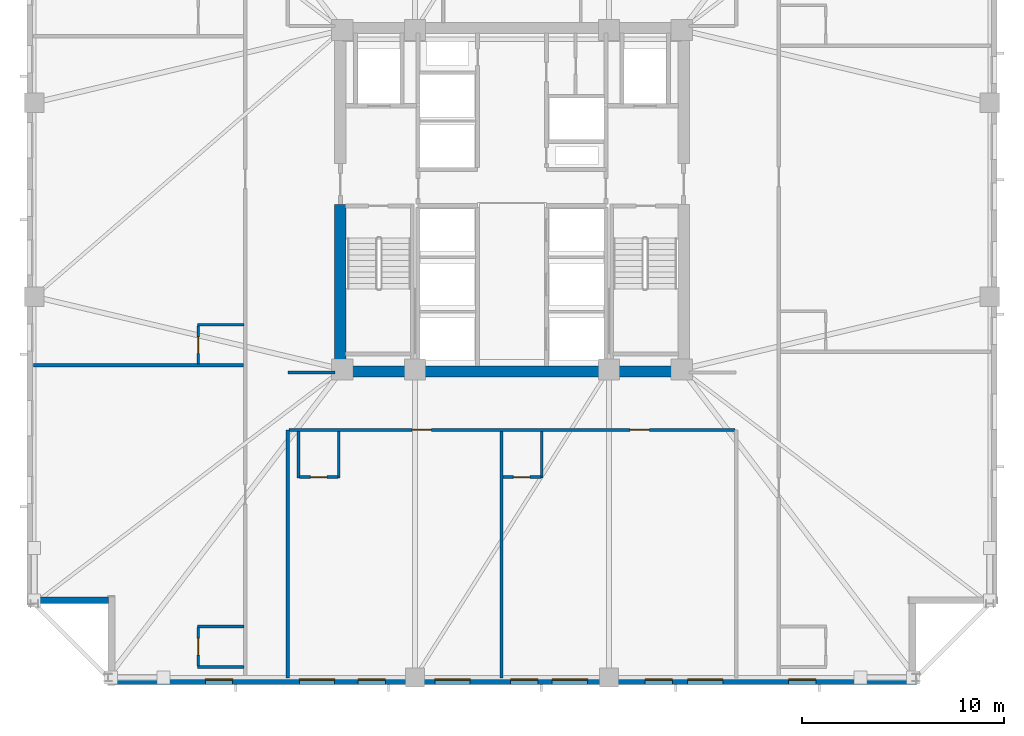
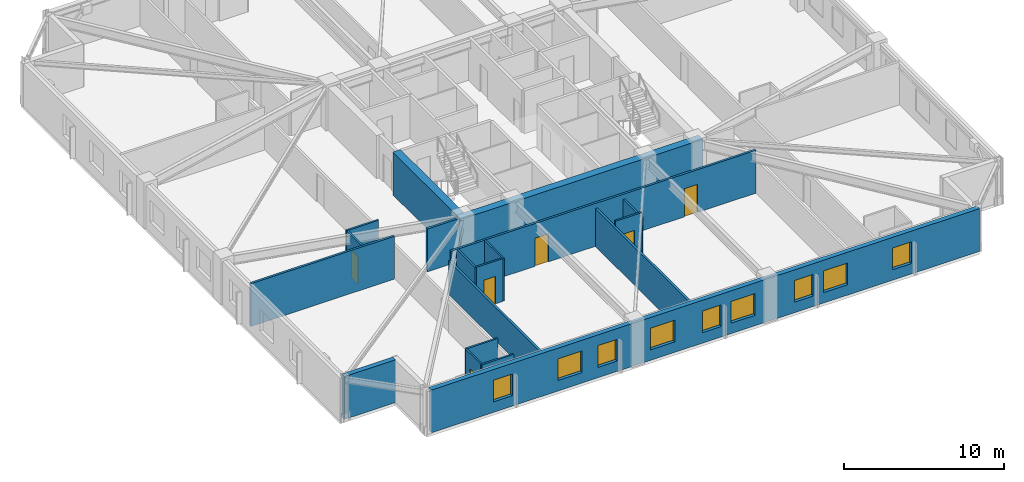
# One storey, part 2 of 11: 19 walls, 9 windows, 6 doors, 15 openings.
"""IFC4 building model written with IfcOpenShell, lengths in metres."""

from ifc_helpers import new_model, si_unit, direction, frame, frame_2d, origin, place, context, subcontext, project, spatial, rectangle, extrude, material, layer, layer_set, type_object, element, fill, save


model = new_model("IFC4")

# Units and contexts
model_context = context("Model", 3, precision=1e-05, world=origin(), true_north=direction((0.0, 1.0)))
body_context = subcontext(model_context, "Body", "Model", "MODEL_VIEW")
ifc_project = project(units=[si_unit("LENGTHUNIT", "METRE"), si_unit("AREAUNIT", "SQUARE_METRE"), si_unit("VOLUMEUNIT", "CUBIC_METRE"), si_unit("PLANEANGLEUNIT", "RADIAN"), si_unit("MASSUNIT", "GRAM", prefix="KILO")], contexts=[model_context])

# Site, building, storey
site_placement = place(None, origin())
site = spatial("IfcSite", under=ifc_project, at=site_placement, CompositionType="ELEMENT")
building_placement = place(site_placement, origin())
building = spatial("IfcBuilding", under=site, at=building_placement, Name="Cairnveth Concourse Tower", CompositionType="ELEMENT")
storey_placement = place(building_placement, frame((0.0, 0.0, 106.0)))
storey = spatial("IfcBuildingStorey", under=building, at=storey_placement, Name="L28", CompositionType="ELEMENT", Elevation=106.0)

# Walls
ifc_material_1 = material(Name="Gypsum Plasterboard Partition", Category="gypsum")
ifc_layer_1 = layer(ifc_material_1, 0.159912109375)
ifc_layer_set_1 = layer_set([ifc_layer_1], Name="Gypsum Plasterboard Partition")
wall_type_1 = type_object("IfcWallType", Name="ACOUSTIC PARTY WALL 180", PredefinedType="PARTITIONING", material=ifc_layer_set_1)
wall_1_placement = place(storey_placement, frame((40.89990234375, 15.324951171875, 0.0), z_axis=(0.0, 0.0, 1.0), x_axis=(0.0, 1.0, 0.0)))
element("IfcWall", 1, at=wall_1_placement, inside=storey, type_object=wall_type_1, Name="Interior Wall IW-L28-039", PredefinedType="PARTITIONING", context=body_context, shape_type="SweptSolid", body=[
    extrude(rectangle(XDim=12.275146484375, YDim=0.159912109375, at=frame_2d((6.1376953125, 0.0))), origin(), (0.0, 0.0, 1.0), 2.554931640625),
])
wall_2_placement = place(storey_placement, frame((40.89990234375, 30.449951171875, 0.0), z_axis=(0.0, 0.0, 1.0), x_axis=(1.0, 0.0, 0.0)))
element("IfcWall", 2, at=wall_2_placement, inside=storey, type_object=wall_type_1, Name="Interior Wall IW-L28-041", PredefinedType="PARTITIONING", context=body_context, shape_type="SweptSolid", body=[
    extrude(rectangle(XDim=2.335205078125, YDim=0.159912109375, at=frame_2d((1.16748046875, 0.0))), origin(), (0.0, 0.0, 1.0), 3.280029296875),
])

# Wall, openings, doors
wall_3_placement = place(storey_placement, frame((40.965087890625, 27.60009765625, 0.0), z_axis=(0.0, 0.0, 1.0), x_axis=(1.0, 0.0, 0.0)))
wall_3 = element("IfcWall", 3, at=wall_3_placement, inside=storey, type_object=wall_type_1, Name="Interior Wall IW-L28-048", PredefinedType="PARTITIONING", context=body_context, shape_type="SweptSolid", body=[
    extrude(rectangle(XDim=22.06982421875, YDim=0.159912109375, at=frame_2d((11.034912109375, 0.0))), origin(), (0.0, 0.0, 1.0), 3.280029296875),
])
opening_1_placement = place(wall_3_placement, frame((6.0849609375, 0.0, 0.0)))
opening_1 = element("IfcOpeningElement", 4, at=opening_1_placement, cuts=wall_3, Name="Opening ID09", PredefinedType="OPENING", context=body_context, shape_type="SweptSolid", body=[
    extrude(rectangle(XDim=0.9599609375, YDim=2.14990234375, at=frame_2d((0.47998046875, 1.074951171875))), frame((0.0, 0.08984375, 0.0), z_axis=(0.0, -1.0, 0.0), x_axis=(1.0, 0.0, 0.0)), (0.0, 0.0, 1.0), 0.179931640625),
])
opening_2_placement = place(wall_3_placement, frame((16.8798828125, 0.0, 0.0)))
opening_2 = element("IfcOpeningElement", 5, at=opening_2_placement, cuts=wall_3, Name="Opening ID09", PredefinedType="OPENING", context=body_context, shape_type="SweptSolid", body=[
    extrude(rectangle(XDim=0.9599609375, YDim=2.14990234375, at=frame_2d((0.47998046875, 1.074951171875))), frame((0.0, 0.08984375, 0.0), z_axis=(0.0, -1.0, 0.0), x_axis=(1.0, 0.0, 0.0)), (0.0, 0.0, 1.0), 0.179931640625),
])
ifc_material_2 = material(Name="Solid Core Hardwood Timber Leaf", Category="wood")
door_type_1 = type_object("IfcDoorType", Name="HOTEL ENTRANCE DOOR 960X2150", OperationType="NOTDEFINED", PredefinedType="DOOR", material=ifc_material_2)
door_1_placement = place(opening_1_placement, origin())
door_1 = element("IfcDoor", 6, at=door_1_placement, inside=storey, type_object=door_type_1, Name="Hotel Room Door L28-S1", OperationType="SINGLE_SWING_RIGHT", OverallHeight=2.14990234375, OverallWidth=0.9599609375, PredefinedType="DOOR", context=body_context, shape_type="SweptSolid", body=[
    extrude(rectangle(XDim=0.9599609375, YDim=2.14990234375, at=frame_2d((0.47998046875, 1.074951171875))), frame((0.0, 0.02490234375, 0.0), z_axis=(0.0, -1.0, 0.0), x_axis=(1.0, 0.0, 0.0)), (0.0, 0.0, 1.0), 0.050048828125),
])
fill(opening_1, door_1)
door_2_placement = place(opening_2_placement, origin())
door_2 = element("IfcDoor", 7, at=door_2_placement, inside=storey, type_object=door_type_1, Name="Hotel Room Door L28-S2", OperationType="SINGLE_SWING_RIGHT", OverallHeight=2.14990234375, OverallWidth=0.9599609375, PredefinedType="DOOR", context=body_context, shape_type="SweptSolid", body=[
    extrude(rectangle(XDim=0.9599609375, YDim=2.14990234375, at=frame_2d((0.47998046875, 1.074951171875))), frame((0.0, 0.02490234375, 0.0), z_axis=(0.0, -1.0, 0.0), x_axis=(1.0, 0.0, 0.0)), (0.0, 0.0, 1.0), 0.050048828125),
])
fill(opening_2, door_2)

# Walls
wall_4_placement = place(storey_placement, frame((51.47998046875, 15.324951171875, 0.0), z_axis=(0.0, 0.0, 1.0), x_axis=(0.0, 1.0, 0.0)))
element("IfcWall", 8, at=wall_4_placement, inside=storey, type_object=wall_type_1, Name="Interior Wall IW-L28-054", PredefinedType="PARTITIONING", context=body_context, shape_type="SweptSolid", body=[
    extrude(rectangle(XDim=12.195068359375, YDim=0.159912109375, at=frame_2d((6.09765625, 0.0))), origin(), (0.0, 0.0, 1.0), 2.89599609375),
])
wall_5_placement = place(storey_placement, frame((28.324951171875, 30.802001953125, 0.0), z_axis=(0.0, 0.0, 1.0), x_axis=(1.0, 0.0, 0.0)))
element("IfcWall", 9, at=wall_5_placement, inside=storey, type_object=wall_type_1, Name="Interior Wall IW-L28-060", PredefinedType="PARTITIONING", context=body_context, shape_type="SweptSolid", body=[
    extrude(rectangle(XDim=10.39501953125, YDim=0.159912109375, at=frame_2d((5.197509765625, 0.0))), origin(), (0.0, 0.0, 1.0), 3.280029296875),
])
ifc_material_3 = material(Name="Concrete N80 (80 MPa)", Category="concrete")
ifc_layer_2 = layer(ifc_material_3, 0.550048828125)
ifc_layer_set_2 = layer_set([ifc_layer_2], Name="Concrete N80 (80 MPa)")
wall_type_2 = type_object("IfcWallType", Name="CORE SHEAR WALL 550", PredefinedType="SHEAR", material=ifc_layer_set_2)
wall_6_placement = place(storey_placement, frame((43.22509765625, 30.5, 0.0), z_axis=(0.0, 0.0, 1.0), x_axis=(1.0, 0.0, 0.0)))
element("IfcWall", 10, at=wall_6_placement, inside=storey, type_object=wall_type_2, Name="Core South Shear Wall L28", PredefinedType="SHEAR", context=body_context, shape_type="SweptSolid", body=[
    extrude(rectangle(XDim=17.5498046875, YDim=0.550048828125, at=frame_2d((8.77490234375, 0.0))), origin(), (0.0, 0.0, 1.0), 3.280029296875),
])
wall_7_placement = place(storey_placement, frame((43.5, 30.764892578125, 0.0), z_axis=(0.0, 0.0, 1.0), x_axis=(0.0, 1.0, 0.0)))
element("IfcWall", 11, at=wall_7_placement, inside=storey, type_object=wall_type_2, Name="Core West Shear Wall S L28", PredefinedType="SHEAR", context=body_context, shape_type="SweptSolid", body=[
    extrude(rectangle(XDim=7.985107421875, YDim=0.550048828125, at=frame_2d((3.99267578125, 0.0))), origin(), (0.0, 0.0, 1.0), 3.280029296875),
])
ifc_layer_3 = layer(ifc_material_1, 0.1298828125)
ifc_layer_set_3 = layer_set([ifc_layer_3], Name="Gypsum Plasterboard Partition")
wall_type_3 = type_object("IfcWallType", Name="WET AREA PARTITION 140", PredefinedType="PLUMBINGWALL", material=ifc_layer_set_3)
for number, where, z_axis, x_axis, name in (
    (12, (41.429931640625, 25.219970703125, 0.0), (0.0, 0.0, 1.0), (0.0, 1.0, 0.0), "Interior Wall IW-L28-051"),
    (13, (43.429931640625, 25.219970703125, 0.0), (0.0, 0.0, 1.0), (0.0, 1.0, 0.0), "Interior Wall IW-L28-052"),
):
    element("IfcWall", number, at=place(storey_placement, frame(where, z_axis=z_axis, x_axis=x_axis)), inside=storey, type_object=wall_type_3, Name=name, PredefinedType="PLUMBINGWALL", context=body_context, shape_type="SweptSolid", body=[
        extrude(rectangle(XDim=2.31494140625, YDim=0.1298828125, at=frame_2d((1.157470703125, 0.0))), origin(), (0.0, 0.0, 1.0), 3.280029296875),
    ])

# Wall, opening, door
wall_8_placement = place(storey_placement, frame((41.47998046875, 25.27001953125, 0.0), z_axis=(0.0, 0.0, 1.0), x_axis=(1.0, 0.0, 0.0)))
wall_8 = element("IfcWall", 14, at=wall_8_placement, inside=storey, type_object=wall_type_3, Name="Interior Wall IW-L28-053", PredefinedType="PLUMBINGWALL", context=body_context, shape_type="SweptSolid", body=[
    extrude(rectangle(XDim=1.89990234375, YDim=0.1298828125, at=frame_2d((0.949951171875, 0.0))), origin(), (0.0, 0.0, 1.0), 3.280029296875),
])
opening_3_placement = place(wall_8_placement, frame((0.5400390625, 0.0, 0.0)))
opening_3 = element("IfcOpeningElement", 15, at=opening_3_placement, cuts=wall_8, Name="Opening ID22", PredefinedType="OPENING", context=body_context, shape_type="SweptSolid", body=[
    extrude(rectangle(XDim=0.820068359375, YDim=2.10009765625, at=frame_2d((0.41015625, 1.050048828125))), frame((0.0, 0.074951171875, 0.0), z_axis=(0.0, -1.0, 0.0), x_axis=(1.0, 0.0, 0.0)), (0.0, 0.0, 1.0), 0.14990234375),
])
door_type_2 = type_object("IfcDoorType", Name="INTERIOR WC DOOR 820X2100", OperationType="NOTDEFINED", PredefinedType="DOOR", material=ifc_material_2)
door_3_placement = place(opening_3_placement, origin())
door_3 = element("IfcDoor", 16, at=door_3_placement, inside=storey, type_object=door_type_2, Name="En-Suite Door L28-S1", OperationType="SINGLE_SWING_LEFT", OverallHeight=2.10009765625, OverallWidth=0.820068359375, PredefinedType="DOOR", context=body_context, shape_type="SweptSolid", body=[
    extrude(rectangle(XDim=0.820068359375, YDim=2.10009765625, at=frame_2d((0.41015625, 1.050048828125))), frame((0.0, 0.02490234375, 0.0), z_axis=(0.0, -1.0, 0.0), x_axis=(1.0, 0.0, 0.0)), (0.0, 0.0, 1.0), 0.050048828125),
])
fill(opening_3, door_3)

# Wall
wall_9_placement = place(storey_placement, frame((53.47998046875, 25.219970703125, 0.0), z_axis=(0.0, 0.0, 1.0), x_axis=(0.0, 1.0, 0.0)))
element("IfcWall", 17, at=wall_9_placement, inside=storey, type_object=wall_type_3, Name="Interior Wall IW-L28-055", PredefinedType="PLUMBINGWALL", context=body_context, shape_type="SweptSolid", body=[
    extrude(rectangle(XDim=2.31494140625, YDim=0.1298828125, at=frame_2d((1.157470703125, 0.0))), origin(), (0.0, 0.0, 1.0), 2.89599609375),
])

# Wall, opening, door
wall_10_placement = place(storey_placement, frame((51.544921875, 25.27001953125, 0.0), z_axis=(0.0, 0.0, 1.0), x_axis=(1.0, 0.0, 0.0)))
wall_10 = element("IfcWall", 18, at=wall_10_placement, inside=storey, type_object=wall_type_3, Name="Interior Wall IW-L28-056", PredefinedType="PLUMBINGWALL", context=body_context, shape_type="SweptSolid", body=[
    extrude(rectangle(XDim=1.885009765625, YDim=0.1298828125, at=frame_2d((0.9423828125, 0.0))), origin(), (0.0, 0.0, 1.0), 3.280029296875),
])
opening_4_placement = place(wall_10_placement, frame((0.52490234375, 0.0, 0.0)))
opening_4 = element("IfcOpeningElement", 19, at=opening_4_placement, cuts=wall_10, Name="Opening ID22", PredefinedType="OPENING", context=body_context, shape_type="SweptSolid", body=[
    extrude(rectangle(XDim=0.820068359375, YDim=2.10009765625, at=frame_2d((0.41015625, 1.050048828125))), frame((0.0, 0.074951171875, 0.0), z_axis=(0.0, -1.0, 0.0), x_axis=(1.0, 0.0, 0.0)), (0.0, 0.0, 1.0), 0.14990234375),
])
door_4_placement = place(opening_4_placement, origin())
door_4 = element("IfcDoor", 20, at=door_4_placement, inside=storey, type_object=door_type_2, Name="En-Suite Door L28-S2", OperationType="SINGLE_SWING_LEFT", OverallHeight=2.10009765625, OverallWidth=0.820068359375, PredefinedType="DOOR", context=body_context, shape_type="SweptSolid", body=[
    extrude(rectangle(XDim=0.820068359375, YDim=2.10009765625, at=frame_2d((0.41015625, 1.050048828125))), frame((0.0, 0.02490234375, 0.0), z_axis=(0.0, -1.0, 0.0), x_axis=(1.0, 0.0, 0.0)), (0.0, 0.0, 1.0), 0.050048828125),
])
fill(opening_4, door_4)

# Walls
for number, where, z_axis, x_axis, name in (
    (21, (36.419921875, 15.8701171875, 0.0), (0.0, 0.0, 1.0), (1.0, 0.0, 0.0), "Interior Wall IW-L28-057"),
    (22, (36.419921875, 17.8701171875, 0.0), (0.0, 0.0, 1.0), (1.0, 0.0, 0.0), "Interior Wall IW-L28-058"),
):
    element("IfcWall", number, at=place(storey_placement, frame(where, z_axis=z_axis, x_axis=x_axis)), inside=storey, type_object=wall_type_3, Name=name, PredefinedType="PLUMBINGWALL", context=body_context, shape_type="SweptSolid", body=[
        extrude(rectangle(XDim=2.315185546875, YDim=0.1298828125, at=frame_2d((1.15771484375, 0.0))), origin(), (0.0, 0.0, 1.0), 3.280029296875),
    ])

# Wall, opening, door
wall_11_placement = place(storey_placement, frame((36.469970703125, 15.919921875, 0.0), z_axis=(0.0, 0.0, 1.0), x_axis=(0.0, 1.0, 0.0)))
wall_11 = element("IfcWall", 23, at=wall_11_placement, inside=storey, type_object=wall_type_3, Name="Interior Wall IW-L28-059", PredefinedType="PLUMBINGWALL", context=body_context, shape_type="SweptSolid", body=[
    extrude(rectangle(XDim=1.900146484375, YDim=0.1298828125, at=frame_2d((0.9501953125, 0.0))), origin(), (0.0, 0.0, 1.0), 3.280029296875),
])
opening_5_placement = place(wall_11_placement, frame((0.5400390625, 0.0, 0.0)))
opening_5 = element("IfcOpeningElement", 24, at=opening_5_placement, cuts=wall_11, Name="Opening ID22", PredefinedType="OPENING", context=body_context, shape_type="SweptSolid", body=[
    extrude(rectangle(XDim=0.820068359375, YDim=2.10009765625, at=frame_2d((0.41015625, 1.050048828125))), frame((0.0, 0.074951171875, 0.0), z_axis=(0.0, -1.0, 0.0), x_axis=(1.0, 0.0, 0.0)), (0.0, 0.0, 1.0), 0.14990234375),
])
door_5_placement = place(opening_5_placement, origin())
door_5 = element("IfcDoor", 25, at=door_5_placement, inside=storey, type_object=door_type_2, Name="En-Suite Door L28-W1", OperationType="SINGLE_SWING_LEFT", OverallHeight=2.10009765625, OverallWidth=0.820068359375, PredefinedType="DOOR", context=body_context, shape_type="SweptSolid", body=[
    extrude(rectangle(XDim=0.820068359375, YDim=2.10009765625, at=frame_2d((0.41015625, 1.050048828125))), frame((0.0, 0.02490234375, 0.0), z_axis=(0.0, -1.0, 0.0), x_axis=(1.0, 0.0, 0.0)), (0.0, 0.0, 1.0), 0.050048828125),
])
fill(opening_5, door_5)

# Wall
wall_12_placement = place(storey_placement, frame((36.419921875, 32.802001953125, 0.0), z_axis=(0.0, 0.0, 1.0), x_axis=(1.0, 0.0, 0.0)))
element("IfcWall", 26, at=wall_12_placement, inside=storey, type_object=wall_type_3, Name="Interior Wall IW-L28-061", PredefinedType="PLUMBINGWALL", context=body_context, shape_type="SweptSolid", body=[
    extrude(rectangle(XDim=2.315185546875, YDim=0.1298828125, at=frame_2d((1.15771484375, 0.0))), origin(), (0.0, 0.0, 1.0), 3.280029296875),
])

# Wall, opening, door
wall_13_placement = place(storey_placement, frame((36.469970703125, 30.866943359375, 0.0), z_axis=(0.0, 0.0, 1.0), x_axis=(0.0, 1.0, 0.0)))
wall_13 = element("IfcWall", 27, at=wall_13_placement, inside=storey, type_object=wall_type_3, Name="Interior Wall IW-L28-062", PredefinedType="PLUMBINGWALL", context=body_context, shape_type="SweptSolid", body=[
    extrude(rectangle(XDim=1.885009765625, YDim=0.1298828125, at=frame_2d((0.9423828125, 0.0))), origin(), (0.0, 0.0, 1.0), 3.280029296875),
])
opening_6_placement = place(wall_13_placement, frame((0.52490234375, 0.0, 0.0)))
opening_6 = element("IfcOpeningElement", 28, at=opening_6_placement, cuts=wall_13, Name="Opening ID22", PredefinedType="OPENING", context=body_context, shape_type="SweptSolid", body=[
    extrude(rectangle(XDim=0.820068359375, YDim=2.10009765625, at=frame_2d((0.41015625, 1.050048828125))), frame((0.0, 0.074951171875, 0.0), z_axis=(0.0, -1.0, 0.0), x_axis=(1.0, 0.0, 0.0)), (0.0, 0.0, 1.0), 0.14990234375),
])
door_6_placement = place(opening_6_placement, origin())
door_6 = element("IfcDoor", 29, at=door_6_placement, inside=storey, type_object=door_type_2, Name="En-Suite Door L28-W2", OperationType="SINGLE_SWING_LEFT", OverallHeight=2.10009765625, OverallWidth=0.820068359375, PredefinedType="DOOR", context=body_context, shape_type="SweptSolid", body=[
    extrude(rectangle(XDim=0.820068359375, YDim=2.10009765625, at=frame_2d((0.41015625, 1.050048828125))), frame((0.0, 0.02490234375, 0.0), z_axis=(0.0, -1.0, 0.0), x_axis=(1.0, 0.0, 0.0)), (0.0, 0.0, 1.0), 0.050048828125),
])
fill(opening_6, door_6)

# Wall, openings, windows
ifc_material_4 = material(Name="Hawthorn Red-Ochre Fired Clay Brick Masonry", Category="masonry")
ifc_layer_4 = layer(ifc_material_4, 0.340087890625)
ifc_layer_set_4 = layer_set([ifc_layer_4], Name="Hawthorn Red-Ochre Fired Clay Brick Masonry")
wall_type_4 = type_object("IfcWallType", Name="ZONE 2 BRICK PIER SPANDREL WALL 340", PredefinedType="SOLIDWALL", material=ifc_layer_set_4)
wall_14_placement = place(storey_placement, frame((72.0, 15.169921875, 0.0), z_axis=(0.0, 0.0, 1.0), x_axis=(-1.0, 0.0, 0.0)))
wall_14 = element("IfcWall", 30, at=wall_14_placement, inside=storey, type_object=wall_type_4, Name="Exterior Wall EW-L28-S06", PredefinedType="SOLIDWALL", context=body_context, shape_type="SweptSolid", body=[
    extrude(rectangle(XDim=39.681884765625, YDim=0.340087890625, at=frame_2d((19.8408203125, 0.0))), origin(), (0.0, 0.0, 1.0), 3.280029296875),
])
opening_7_placement = place(wall_14_placement, frame((4.951904296875, 0.0, 0.800048828125)))
opening_7 = element("IfcOpeningElement", 31, at=opening_7_placement, cuts=wall_14, Name="Opening W02", PredefinedType="OPENING", context=body_context, shape_type="SweptSolid", body=[
    extrude(rectangle(XDim=1.35009765625, YDim=1.659912109375, at=frame_2d((0.675048828125, 0.830078125))), frame((0.0, 0.179931640625, 0.0), z_axis=(0.0, -1.0, 0.0), x_axis=(1.0, 0.0, 0.0)), (0.0, 0.0, 1.0), 0.360107421875),
])
opening_8_placement = place(wall_14_placement, frame((9.555419921875, 0.0, 0.800048828125)))
opening_8 = element("IfcOpeningElement", 32, at=opening_8_placement, cuts=wall_14, Name="Opening W06", PredefinedType="OPENING", context=body_context, shape_type="SweptSolid", body=[
    extrude(rectangle(XDim=1.75, YDim=1.659912109375, at=frame_2d((0.875, 0.830078125))), frame((0.0, 0.179931640625, 0.0), z_axis=(0.0, -1.0, 0.0), x_axis=(1.0, 0.0, 0.0)), (0.0, 0.0, 1.0), 0.360107421875),
])
opening_9_placement = place(wall_14_placement, frame((12.058837890625, 0.0, 0.800048828125)))
opening_9 = element("IfcOpeningElement", 33, at=opening_9_placement, cuts=wall_14, Name="Opening W02", PredefinedType="OPENING", context=body_context, shape_type="SweptSolid", body=[
    extrude(rectangle(XDim=1.35009765625, YDim=1.659912109375, at=frame_2d((0.675048828125, 0.830078125))), frame((0.0, 0.179931640625, 0.0), z_axis=(0.0, -1.0, 0.0), x_axis=(1.0, 0.0, 0.0)), (0.0, 0.0, 1.0), 0.360107421875),
])
opening_10_placement = place(wall_14_placement, frame((16.262451171875, 0.0, 0.800048828125)))
opening_10 = element("IfcOpeningElement", 34, at=opening_10_placement, cuts=wall_14, Name="Opening W06", PredefinedType="OPENING", context=body_context, shape_type="SweptSolid", body=[
    extrude(rectangle(XDim=1.75, YDim=1.659912109375, at=frame_2d((0.875, 0.830078125))), frame((0.0, 0.179931640625, 0.0), z_axis=(0.0, -1.0, 0.0), x_axis=(1.0, 0.0, 0.0)), (0.0, 0.0, 1.0), 0.360107421875),
])
opening_11_placement = place(wall_14_placement, frame((18.716064453125, 0.0, 0.800048828125)))
opening_11 = element("IfcOpeningElement", 35, at=opening_11_placement, cuts=wall_14, Name="Opening W02", PredefinedType="OPENING", context=body_context, shape_type="SweptSolid", body=[
    extrude(rectangle(XDim=1.35009765625, YDim=1.659912109375, at=frame_2d((0.675048828125, 0.830078125))), frame((0.0, 0.179931640625, 0.0), z_axis=(0.0, -1.0, 0.0), x_axis=(1.0, 0.0, 0.0)), (0.0, 0.0, 1.0), 0.360107421875),
])
opening_12_placement = place(wall_14_placement, frame((22.069580078125, 0.0, 0.800048828125)))
opening_12 = element("IfcOpeningElement", 36, at=opening_12_placement, cuts=wall_14, Name="Opening W06", PredefinedType="OPENING", context=body_context, shape_type="SweptSolid", body=[
    extrude(rectangle(XDim=1.75, YDim=1.659912109375, at=frame_2d((0.875, 0.830078125))), frame((0.0, 0.179931640625, 0.0), z_axis=(0.0, -1.0, 0.0), x_axis=(1.0, 0.0, 0.0)), (0.0, 0.0, 1.0), 0.360107421875),
])
opening_13_placement = place(wall_14_placement, frame((26.273193359375, 0.0, 0.800048828125)))
opening_13 = element("IfcOpeningElement", 37, at=opening_13_placement, cuts=wall_14, Name="Opening W02", PredefinedType="OPENING", context=body_context, shape_type="SweptSolid", body=[
    extrude(rectangle(XDim=1.35009765625, YDim=1.659912109375, at=frame_2d((0.675048828125, 0.830078125))), frame((0.0, 0.179931640625, 0.0), z_axis=(0.0, -1.0, 0.0), x_axis=(1.0, 0.0, 0.0)), (0.0, 0.0, 1.0), 0.360107421875),
])
opening_14_placement = place(wall_14_placement, frame((28.776611328125, 0.0, 0.800048828125)))
opening_14 = element("IfcOpeningElement", 38, at=opening_14_placement, cuts=wall_14, Name="Opening W06", PredefinedType="OPENING", context=body_context, shape_type="SweptSolid", body=[
    extrude(rectangle(XDim=1.75, YDim=1.659912109375, at=frame_2d((0.875, 0.830078125))), frame((0.0, 0.179931640625, 0.0), z_axis=(0.0, -1.0, 0.0), x_axis=(1.0, 0.0, 0.0)), (0.0, 0.0, 1.0), 0.360107421875),
])
opening_15_placement = place(wall_14_placement, frame((33.830078125, 0.0, 0.800048828125)))
opening_15 = element("IfcOpeningElement", 39, at=opening_15_placement, cuts=wall_14, Name="Opening W02", PredefinedType="OPENING", context=body_context, shape_type="SweptSolid", body=[
    extrude(rectangle(XDim=1.35009765625, YDim=1.659912109375, at=frame_2d((0.675048828125, 0.830078125))), frame((0.0, 0.179931640625, 0.0), z_axis=(0.0, -1.0, 0.0), x_axis=(1.0, 0.0, 0.0)), (0.0, 0.0, 1.0), 0.360107421875),
])
ifc_material_5 = material(Name="Double Glazed Low-E Clear Glass", Category="glass")
window_type_1 = type_object("IfcWindowType", Name="DEEP-SET GOTHIC LANCET WINDOW 1350X1800", PartitioningType="DOUBLE_PANEL_VERTICAL", PredefinedType="WINDOW", material=ifc_material_5)
window_1_placement = place(opening_7_placement, origin())
window_1 = element("IfcWindow", 40, at=window_1_placement, inside=storey, type_object=window_type_1, Name="Gothic Lancet Window L28-6-1", OverallHeight=1.659912109375, OverallWidth=1.35009765625, PartitioningType="SINGLE_PANEL", PredefinedType="WINDOW", context=body_context, shape_type="SweptSolid", body=[
    extrude(rectangle(XDim=1.35009765625, YDim=1.659912109375, at=frame_2d((0.675048828125, 0.830078125))), frame((0.0, -0.050048828125, 0.0), z_axis=(0.0, -1.0, 0.0), x_axis=(1.0, 0.0, 0.0)), (0.0, 0.0, 1.0), 0.06005859375),
])
fill(opening_7, window_1)
window_2_placement = place(opening_9_placement, origin())
window_2 = element("IfcWindow", 41, at=window_2_placement, inside=storey, type_object=window_type_1, Name="Gothic Lancet Window L28-6-3", OverallHeight=1.659912109375, OverallWidth=1.35009765625, PartitioningType="SINGLE_PANEL", PredefinedType="WINDOW", context=body_context, shape_type="SweptSolid", body=[
    extrude(rectangle(XDim=1.35009765625, YDim=1.659912109375, at=frame_2d((0.675048828125, 0.830078125))), frame((0.0, -0.050048828125, 0.0), z_axis=(0.0, -1.0, 0.0), x_axis=(1.0, 0.0, 0.0)), (0.0, 0.0, 1.0), 0.06005859375),
])
fill(opening_9, window_2)
window_3_placement = place(opening_11_placement, origin())
window_3 = element("IfcWindow", 42, at=window_3_placement, inside=storey, type_object=window_type_1, Name="Gothic Lancet Window L28-6-5", OverallHeight=1.659912109375, OverallWidth=1.35009765625, PartitioningType="SINGLE_PANEL", PredefinedType="WINDOW", context=body_context, shape_type="SweptSolid", body=[
    extrude(rectangle(XDim=1.35009765625, YDim=1.659912109375, at=frame_2d((0.675048828125, 0.830078125))), frame((0.0, -0.050048828125, 0.0), z_axis=(0.0, -1.0, 0.0), x_axis=(1.0, 0.0, 0.0)), (0.0, 0.0, 1.0), 0.06005859375),
])
fill(opening_11, window_3)
window_4_placement = place(opening_13_placement, origin())
window_4 = element("IfcWindow", 43, at=window_4_placement, inside=storey, type_object=window_type_1, Name="Gothic Lancet Window L28-6-7", OverallHeight=1.659912109375, OverallWidth=1.35009765625, PartitioningType="SINGLE_PANEL", PredefinedType="WINDOW", context=body_context, shape_type="SweptSolid", body=[
    extrude(rectangle(XDim=1.35009765625, YDim=1.659912109375, at=frame_2d((0.675048828125, 0.830078125))), frame((0.0, -0.050048828125, 0.0), z_axis=(0.0, -1.0, 0.0), x_axis=(1.0, 0.0, 0.0)), (0.0, 0.0, 1.0), 0.06005859375),
])
fill(opening_13, window_4)
window_5_placement = place(opening_15_placement, origin())
window_5 = element("IfcWindow", 44, at=window_5_placement, inside=storey, type_object=window_type_1, Name="Gothic Lancet Window L28-6-9", OverallHeight=1.659912109375, OverallWidth=1.35009765625, PartitioningType="SINGLE_PANEL", PredefinedType="WINDOW", context=body_context, shape_type="SweptSolid", body=[
    extrude(rectangle(XDim=1.35009765625, YDim=1.659912109375, at=frame_2d((0.675048828125, 0.830078125))), frame((0.0, -0.050048828125, 0.0), z_axis=(0.0, -1.0, 0.0), x_axis=(1.0, 0.0, 0.0)), (0.0, 0.0, 1.0), 0.06005859375),
])
fill(opening_15, window_5)
window_type_2 = type_object("IfcWindowType", Name="DEEP-SET HOTEL SUITE WINDOW 1750X1800", PartitioningType="DOUBLE_PANEL_VERTICAL", PredefinedType="WINDOW", material=ifc_material_5)
window_6_placement = place(opening_8_placement, origin())
window_6 = element("IfcWindow", 45, at=window_6_placement, inside=storey, type_object=window_type_2, Name="Gothic Lancet Window L28-6-2", OverallHeight=1.659912109375, OverallWidth=1.75, PartitioningType="SINGLE_PANEL", PredefinedType="WINDOW", context=body_context, shape_type="SweptSolid", body=[
    extrude(rectangle(XDim=1.75, YDim=1.659912109375, at=frame_2d((0.875, 0.830078125))), frame((0.0, -0.050048828125, 0.0), z_axis=(0.0, -1.0, 0.0), x_axis=(1.0, 0.0, 0.0)), (0.0, 0.0, 1.0), 0.06005859375),
])
fill(opening_8, window_6)
window_7_placement = place(opening_10_placement, origin())
window_7 = element("IfcWindow", 46, at=window_7_placement, inside=storey, type_object=window_type_2, Name="Gothic Lancet Window L28-6-4", OverallHeight=1.659912109375, OverallWidth=1.75, PartitioningType="SINGLE_PANEL", PredefinedType="WINDOW", context=body_context, shape_type="SweptSolid", body=[
    extrude(rectangle(XDim=1.75, YDim=1.659912109375, at=frame_2d((0.875, 0.830078125))), frame((0.0, -0.050048828125, 0.0), z_axis=(0.0, -1.0, 0.0), x_axis=(1.0, 0.0, 0.0)), (0.0, 0.0, 1.0), 0.06005859375),
])
fill(opening_10, window_7)
window_8_placement = place(opening_12_placement, origin())
window_8 = element("IfcWindow", 47, at=window_8_placement, inside=storey, type_object=window_type_2, Name="Gothic Lancet Window L28-6-6", OverallHeight=1.659912109375, OverallWidth=1.75, PartitioningType="SINGLE_PANEL", PredefinedType="WINDOW", context=body_context, shape_type="SweptSolid", body=[
    extrude(rectangle(XDim=1.75, YDim=1.659912109375, at=frame_2d((0.875, 0.830078125))), frame((0.0, -0.050048828125, 0.0), z_axis=(0.0, -1.0, 0.0), x_axis=(1.0, 0.0, 0.0)), (0.0, 0.0, 1.0), 0.06005859375),
])
fill(opening_12, window_8)
window_9_placement = place(opening_14_placement, origin())
window_9 = element("IfcWindow", 48, at=window_9_placement, inside=storey, type_object=window_type_2, Name="Gothic Lancet Window L28-6-8", OverallHeight=1.659912109375, OverallWidth=1.75, PartitioningType="SINGLE_PANEL", PredefinedType="WINDOW", context=body_context, shape_type="SweptSolid", body=[
    extrude(rectangle(XDim=1.75, YDim=1.659912109375, at=frame_2d((0.875, 0.830078125))), frame((0.0, -0.050048828125, 0.0), z_axis=(0.0, -1.0, 0.0), x_axis=(1.0, 0.0, 0.0)), (0.0, 0.0, 1.0), 0.06005859375),
])
fill(opening_14, window_9)

# Wall
wall_15_placement = place(storey_placement, frame((32.02197265625, 19.169921875, 0.0), z_axis=(0.0, 0.0, 1.0), x_axis=(-1.0, 0.0, 0.0)))
element("IfcWall", 49, at=wall_15_placement, inside=storey, type_object=wall_type_4, Name="Exterior Wall EW-L28-S08", PredefinedType="SOLIDWALL", context=body_context, shape_type="SweptSolid", body=[
    extrude(rectangle(XDim=3.703857421875, YDim=0.340087890625, at=frame_2d((1.85205078125, 0.0))), origin(), (0.0, 0.0, 1.0), 3.280029296875),
])

save(model, "model.ifc")
